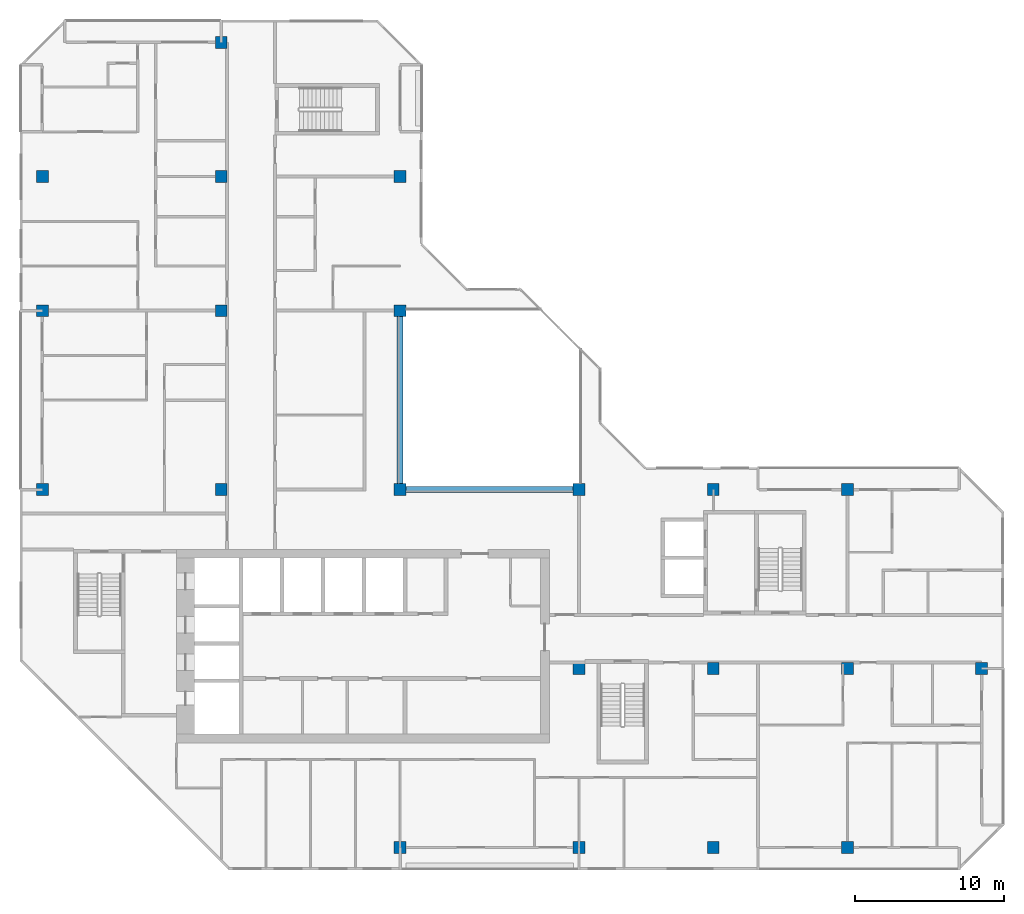
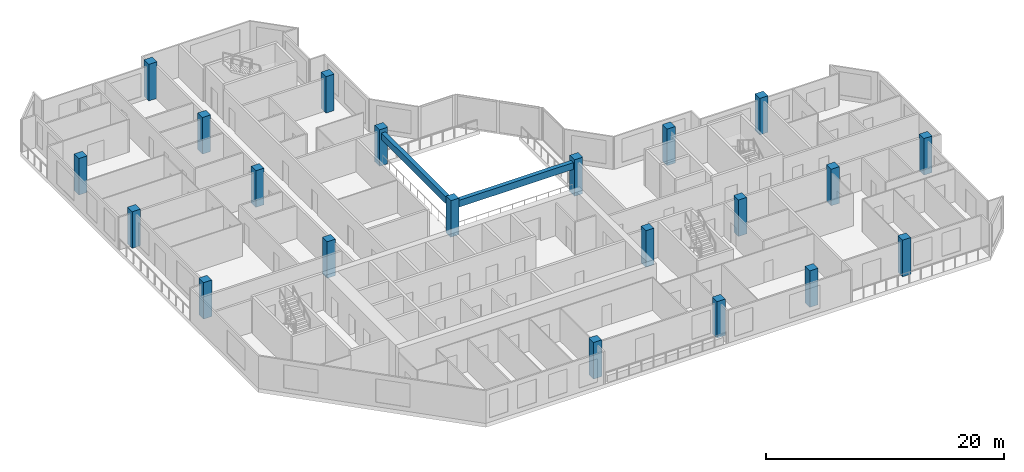
# One storey, part 1 of 13: 21 columns, 2 beams.
"""IFC4 building model written with IfcOpenShell, lengths in metres."""

from ifc_helpers import new_model, si_unit, direction, frame, origin, origin_2d, place, context, subcontext, project, spatial, rectangle, extrude, material, material_profile, profile_set, type_object, element, save


model = new_model("IFC4")

# Units and contexts
model_context = context("Model", 3, precision=1e-05, world=origin(), true_north=direction((0.0, 1.0)))
body_context = subcontext(model_context, "Body", "Model", "MODEL_VIEW")
ifc_project = project(units=[si_unit("LENGTHUNIT", "METRE"), si_unit("AREAUNIT", "SQUARE_METRE"), si_unit("VOLUMEUNIT", "CUBIC_METRE"), si_unit("PLANEANGLEUNIT", "RADIAN"), si_unit("MASSUNIT", "GRAM", prefix="KILO")], contexts=[model_context])

# Site, building, storey
site_placement = place(None, origin())
site = spatial("IfcSite", under=ifc_project, at=site_placement, CompositionType="ELEMENT")
building_placement = place(site_placement, origin())
building = spatial("IfcBuilding", under=site, at=building_placement, Name="Chenar Terraces", CompositionType="ELEMENT")
storey_placement = place(building_placement, frame((0.0, 0.0, 277.14990234375)))
storey = spatial("IfcBuildingStorey", under=building, at=storey_placement, Name="L64", CompositionType="ELEMENT", Elevation=277.14990234375)

# Columns
ifc_material_1 = material(Name="Concrete C50/60", Category="concrete")
ifc_material_profile_1 = material_profile(ifc_material_1, rectangle(XDim=0.800048828125, YDim=0.800048828125, at=origin_2d()), Name="C 800 x 800")
ifc_profile_set_1 = profile_set([ifc_material_profile_1], Name="Concrete C50/60")
column_type = type_object("IfcColumnType", Name="Column C 800 x 800 Concrete C50/60", PredefinedType="COLUMN", material=ifc_profile_set_1)
column_1_placement = place(storey_placement, frame((0.0, 24.0, 0.0), z_axis=(0.0, 0.0, 1.0), x_axis=(1.0, 0.0, 0.0)))
element("IfcColumn", 1, at=column_1_placement, inside=storey, type_object=column_type, Name="Column 5/G L64", PredefinedType="COLUMN", context=body_context, shape_type="SweptSolid", body=[
    extrude(rectangle(XDim=0.800048828125, YDim=0.800048828125, at=origin_2d()), origin(), (0.0, 0.0, 1.0), 3.75),
])
column_2_placement = place(storey_placement, frame((0.0, 36.0, 0.0), z_axis=(0.0, 0.0, 1.0), x_axis=(1.0, 0.0, 0.0)))
element("IfcColumn", 2, at=column_2_placement, inside=storey, type_object=column_type, Name="Column 5/H L64", PredefinedType="COLUMN", context=body_context, shape_type="SweptSolid", body=[
    extrude(rectangle(XDim=0.800048828125, YDim=0.800048828125, at=origin_2d()), origin(), (0.0, 0.0, 1.0), 3.75),
])
for number, where, z_axis, x_axis, name in (
    (3, (0.0, 45.0, 0.0), (0.0, 0.0, 1.0), (1.0, 0.0, 0.0), "Column 5/J L64"),
    (4, (12.0, 24.0, 0.0), (0.0, 0.0, 1.0), (1.0, 0.0, 0.0), "Column 6/G L64"),
    (5, (12.0, 36.0, 0.0), (0.0, 0.0, 1.0), (1.0, 0.0, 0.0), "Column 6/H L64"),
    (6, (12.0, 45.0, 0.0), (0.0, 0.0, 1.0), (1.0, 0.0, 0.0), "Column 6/J L64"),
    (7, (12.0, 54.0, 0.0), (0.0, 0.0, 1.0), (1.0, 0.0, 0.0), "Column 6/K L64"),
    (8, (24.0, 0.0, 0.0), (0.0, 0.0, 1.0), (1.0, 0.0, 0.0), "Column 7/E L64"),
    (9, (24.0, 24.0, 0.0), (0.0, 0.0, 1.0), (1.0, 0.0, 0.0), "Column 7/G L64"),
    (10, (24.0, 36.0, 0.0), (0.0, 0.0, 1.0), (1.0, 0.0, 0.0), "Column 7/H L64"),
    (11, (24.0, 45.0, 0.0), (0.0, 0.0, 1.0), (1.0, 0.0, 0.0), "Column 7/J L64"),
    (12, (36.0, 0.0, 0.0), (0.0, 0.0, 1.0), (1.0, 0.0, 0.0), "Column 8/E L64"),
    (13, (36.0, 12.0, 0.0), (0.0, 0.0, 1.0), (1.0, 0.0, 0.0), "Column 8/F L64"),
    (14, (36.0, 24.0, 0.0), (0.0, 0.0, 1.0), (1.0, 0.0, 0.0), "Column 8/G L64"),
    (15, (45.0, 0.0, 0.0), (0.0, 0.0, 1.0), (1.0, 0.0, 0.0), "Column 9/E L64"),
    (16, (45.0, 12.0, 0.0), (0.0, 0.0, 1.0), (1.0, 0.0, 0.0), "Column 9/F L64"),
    (17, (45.0, 24.0, 0.0), (0.0, 0.0, 1.0), (1.0, 0.0, 0.0), "Column 9/G L64"),
    (18, (54.0, 0.0, 0.0), (0.0, 0.0, 1.0), (1.0, 0.0, 0.0), "Column 10/E L64"),
    (19, (54.0, 12.0, 0.0), (0.0, 0.0, 1.0), (1.0, 0.0, 0.0), "Column 10/F L64"),
    (20, (54.0, 24.0, 0.0), (0.0, 0.0, 1.0), (1.0, 0.0, 0.0), "Column 10/G L64"),
    (21, (63.0, 12.0, 0.0), (0.0, 0.0, 1.0), (1.0, 0.0, 0.0), "Column 11/F L64"),
):
    element("IfcColumn", number, at=place(storey_placement, frame(where, z_axis=z_axis, x_axis=x_axis)), inside=storey, type_object=column_type, Name=name, PredefinedType="COLUMN", context=body_context, shape_type="SweptSolid", body=[
        extrude(rectangle(XDim=0.800048828125, YDim=0.800048828125, at=origin_2d()), origin(), (0.0, 0.0, 1.0), 3.75),
    ])

# Beams
ifc_material_2 = material(Name="Concrete C40/50", Category="concrete")
ifc_material_profile_2 = material_profile(ifc_material_2, rectangle(XDim=0.39990234375, YDim=0.699951171875, at=origin_2d()), Name="RC 400 x 700")
ifc_profile_set_2 = profile_set([ifc_material_profile_2], Name="Concrete C40/50")
beam_type = type_object("IfcBeamType", Name="Atrium edge beam 400 x 700 Concrete C40/50", PredefinedType="BEAM", material=ifc_profile_set_2)
for number, where, z_axis, x_axis, name in (
    (22, (24.39990234375, 24.0, 3.0), (1.0, 0.0, 0.0), (0.0, 1.0, 0.0), "Atrium edge beam L65 1"),
    (23, (24.0, 35.60009765625, 3.0), (0.0, -1.0, 0.0), (1.0, 0.0, 0.0), "Atrium edge beam L65 4"),
):
    element("IfcBeam", number, at=place(storey_placement, frame(where, z_axis=z_axis, x_axis=x_axis)), inside=storey, type_object=beam_type, Name=name, PredefinedType="BEAM", context=body_context, shape_type="SweptSolid", body=[
        extrude(rectangle(XDim=0.39990234375, YDim=0.699951171875, at=origin_2d()), origin(), (0.0, 0.0, 1.0), 11.2001953125),
    ])

save(model, "model.ifc")
